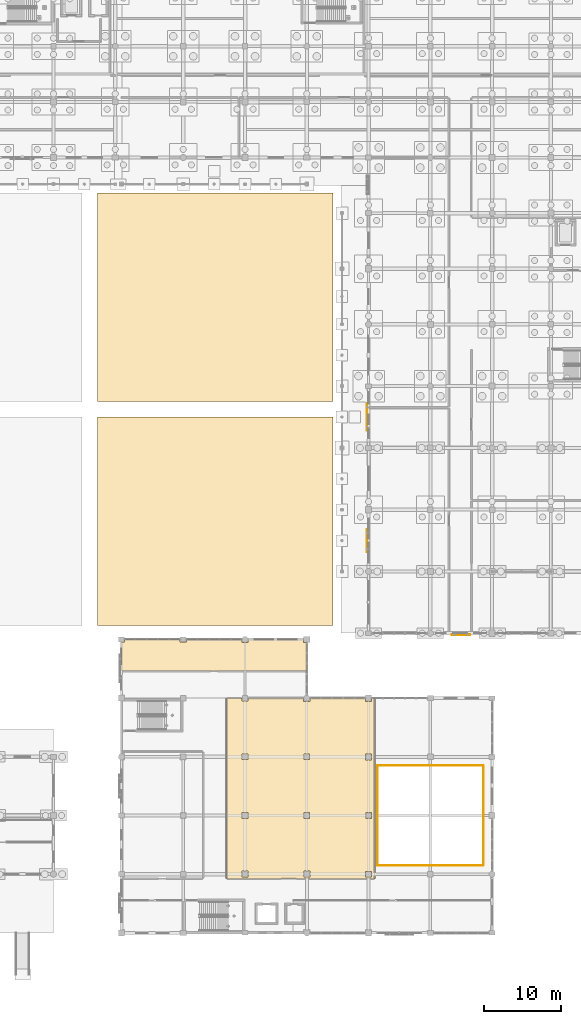
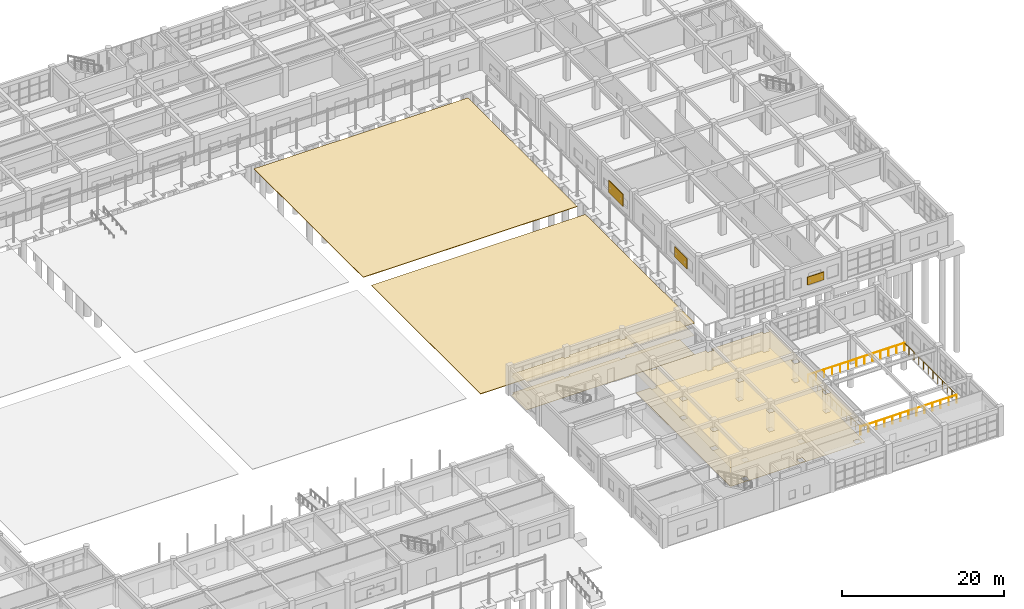
# One storey, part 163 of 166: 6 coverings, 4 railings, 3 shading devices.
"""IFC4 building model written with IfcOpenShell, lengths in metres."""

import ifcopenshell
import ifcopenshell.guid

model = None  # the IFC model being written
_history = None  # IfcOwnerHistory: only IFC2X3 demands one
_inside = {}  # id of a spatial element -> (the spatial element, [elements in it])
_under = {}  # id of a project, library or spatial element -> (it, [spatial elements below it])
_declared = {}  # id of a project -> (the project, [libraries it declares])
_typed = {}  # id of a type object -> (the type object, [elements of that type])
_made_of = {}  # id of a material, layer set ... -> (it, [elements and type objects made of it])


def new_model(schema):
    """Start an empty IFC model of exactly this schema.

    Asked for "IFC4X3", IfcOpenShell would pick the latest addendum, in which some entities
    have other attributes; the version numbers below select the first issue.
    IFC2X3 requires an IfcOwnerHistory on every rooted entity: one is made here for all.
    """
    global model, _history
    if schema == "IFC4X3":
        model = ifcopenshell.file(schema_version=(4, 3, 0, 0))
    else:
        model = ifcopenshell.file(schema=schema)
    _inside.clear()
    _under.clear()
    _declared.clear()
    _typed.clear()
    _made_of.clear()
    _history = None
    if model.schema == "IFC2X3":
        org = make("IfcOrganization", Name="unknown")
        user = make(
            "IfcPersonAndOrganization",
            ThePerson=make("IfcPerson", FamilyName="unknown"),
            TheOrganization=org,
        )
        app = make(
            "IfcApplication",
            ApplicationDeveloper=org,
            Version="unknown",
            ApplicationFullName="unknown",
            ApplicationIdentifier="unknown",
        )
        _history = make(
            "IfcOwnerHistory",
            OwningUser=user,
            OwningApplication=app,
            ChangeAction="ADDED",
            CreationDate=0,
        )
    return model


def make(cls, **values):
    """One entity of the class cls with the attributes given. An attribute that is None is left unset."""
    return model.create_entity(
        cls, **{name: value for name, value in values.items() if value is not None}
    )


def rooted(cls, **values):
    """An entity with a GlobalId (a new one), such as an element, a storey or a relation."""
    return make(cls, GlobalId=ifcopenshell.guid.new(), OwnerHistory=_history, **values)


def si_unit(unit_type, name, prefix=None):
    """IfcSIUnit, for example si_unit("LENGTHUNIT", "METRE", prefix="MILLI")."""
    return make("IfcSIUnit", UnitType=unit_type, Prefix=prefix, Name=name)


def assignment(units):
    """IfcUnitAssignment: the units of a project."""
    return None if units is None else make("IfcUnitAssignment", Units=units)


def point(xyz):
    """IfcCartesianPoint."""
    return None if xyz is None else make("IfcCartesianPoint", Coordinates=xyz)


def direction(xyz):
    """IfcDirection."""
    return None if xyz is None else make("IfcDirection", DirectionRatios=xyz)


def frame(location, z_axis=None, x_axis=None):
    """IfcAxis2Placement3D, a coordinate frame: its origin and axes. An axis left out is left unset."""
    return make(
        "IfcAxis2Placement3D",
        Location=point(location),
        Axis=direction(z_axis),
        RefDirection=direction(x_axis),
    )


def frame_2d(location, x_axis=None):
    """IfcAxis2Placement2D, a coordinate frame in the plane: its origin and x axis."""
    return make(
        "IfcAxis2Placement2D", Location=point(location), RefDirection=direction(x_axis)
    )


def origin():
    """The frame at (0, 0, 0) with its axes left unset."""
    return frame((0.0, 0.0, 0.0))


def origin_2d():
    """The frame at (0, 0) in the plane with its x axis left unset."""
    return frame_2d((0.0, 0.0))


def place(relative_to, where):
    """IfcLocalPlacement: puts the frame where relative to a parent placement (None: the world)."""
    return make(
        "IfcLocalPlacement", PlacementRelTo=relative_to, RelativePlacement=where
    )


def context(
    kind, dimensions, precision=None, world=None, true_north=None, identifier=None
):
    """IfcGeometricRepresentationContext, for example the 3D "Model" context."""
    return make(
        "IfcGeometricRepresentationContext",
        ContextIdentifier=identifier,
        ContextType=kind,
        CoordinateSpaceDimension=dimensions,
        Precision=precision,
        WorldCoordinateSystem=world,
        TrueNorth=true_north,
    )


def subcontext(parent, identifier, kind, view, scale=None):
    """IfcGeometricRepresentationSubContext, for example "Body" below "Model"."""
    return make(
        "IfcGeometricRepresentationSubContext",
        ContextIdentifier=identifier,
        ContextType=kind,
        ParentContext=parent,
        TargetScale=scale,
        TargetView=view,
    )


def project(units=None, contexts=None):
    """IfcProject with its units and contexts."""
    return rooted(
        "IfcProject",
        Name="project",
        RepresentationContexts=contexts,
        UnitsInContext=assignment(units),
    )


def spatial(cls, under=None, at=None, **own):
    """A site, building, storey or space (cls), placed at a placement, below another one or the project."""
    s = rooted(cls, ObjectPlacement=at, **own)
    if under is not None:
        _under.setdefault(under.id(), (under, []))[1].append(s)
    return s


def polyline(points):
    """IfcPolyline through the points."""
    return make("IfcPolyline", Points=[point(p) for p in points])


def profile(cls, at=None, kind="AREA", **sizes):
    """A parametric profile (cls). Its sizes go by their IFC names, for example OverallWidth=200.0."""
    return make(cls, ProfileType=kind, Position=at, **sizes)


def rectangle(**sizes):
    """IfcRectangleProfileDef."""
    return profile("IfcRectangleProfileDef", **sizes)


def circle(**sizes):
    """IfcCircleProfileDef."""
    return profile("IfcCircleProfileDef", **sizes)


def outline(outer, holes=None, kind="AREA"):
    """IfcArbitraryClosedProfileDef: a profile drawn as a closed curve; with holes, ...WithVoids."""
    if holes is None:
        return make("IfcArbitraryClosedProfileDef", ProfileType=kind, OuterCurve=outer)
    return make(
        "IfcArbitraryProfileDefWithVoids",
        ProfileType=kind,
        OuterCurve=outer,
        InnerCurves=holes,
    )


def extrude(swept, where, along, depth):
    """IfcExtrudedAreaSolid: the profile swept, set in the frame where, extruded along a direction by depth."""
    return make(
        "IfcExtrudedAreaSolid",
        SweptArea=swept,
        Position=where,
        ExtrudedDirection=direction(along),
        Depth=depth,
    )


def shape(context_of_items, identifier, shape_type, items):
    """IfcShapeRepresentation: the items that make up one representation, for example the "Body"."""
    return make(
        "IfcShapeRepresentation",
        ContextOfItems=context_of_items,
        RepresentationIdentifier=identifier,
        RepresentationType=shape_type,
        Items=items,
    )


def material(Name=None, Category=None):
    """IfcMaterial."""
    return make("IfcMaterial", Name=Name, Category=Category)


def layer(
    of_material, thickness, ventilated=None, Name=None, Category=None, Priority=None
):
    """IfcMaterialLayer: one layer of a wall or slab, of a material (None: an air gap)."""
    return make(
        "IfcMaterialLayer",
        Material=of_material,
        LayerThickness=thickness,
        IsVentilated=ventilated,
        Name=Name,
        Category=Category,
        Priority=Priority,
    )


def layer_set(layers, Name=None):
    """IfcMaterialLayerSet."""
    return make("IfcMaterialLayerSet", MaterialLayers=layers, LayerSetName=Name)


def made_of(thing, what):
    """Note that an element or type object is made of a material, layer set ...; save() writes the relation."""
    if what is not None:
        _made_of.setdefault(what.id(), (what, []))[1].append(thing)
    return thing


def type_object(cls, material=None, **own):
    """A type object (cls), such as IfcWallType, which elements share."""
    return made_of(rooted(cls, **own), material)


def element(
    cls,
    number,
    at=None,
    inside=None,
    cuts=None,
    type_object=None,
    material=None,
    context=None,
    identifier="Body",
    shape_type=None,
    held_by="IfcProductDefinitionShape",
    body=None,
    shapes=None,
    **own,
):
    """One element of the class cls, such as IfcWall. Its Tag is "e" and its number.

    at: its placement. inside: the storey or other place that contains it. cuts: it is an
    opening in that element (IfcRelVoidsElement). A single representation is given by context,
    identifier, shape_type and body (its items); several are given by shapes. held_by: the class
    of the entity that holds the representations. save() writes the other relations.
    """
    e = rooted(cls, Tag="e%d" % number, ObjectPlacement=at, **own)
    if body is not None:
        shapes = [shape(context, identifier, shape_type, body)]
    if shapes is not None:
        e.Representation = make(held_by, Representations=shapes)
    if inside is not None:
        _inside.setdefault(inside.id(), (inside, []))[1].append(e)
    if cuts is not None:
        rooted(
            "IfcRelVoidsElement", RelatingBuildingElement=cuts, RelatedOpeningElement=e
        )
    if type_object is not None:
        _typed.setdefault(type_object.id(), (type_object, []))[1].append(e)
    return made_of(e, material)


def aggregate(whole, parts):
    """IfcRelAggregates: a whole, such as a stair, and the parts it consists of."""
    return rooted("IfcRelAggregates", RelatingObject=whole, RelatedObjects=parts)


def save(model, path):
    """Write the relations noted so far, then the file.

    IfcRelAggregates (storeys below a building ...), IfcRelContainedInSpatialStructure (elements
    in a storey), IfcRelDefinesByType, IfcRelAssociatesMaterial and IfcRelDeclares: one each for
    every whole, place, type object, material and project.
    """
    for whole, parts in _under.values():
        aggregate(whole, parts)
    for where, things in _inside.values():
        rooted(
            "IfcRelContainedInSpatialStructure",
            RelatedElements=things,
            RelatingStructure=where,
        )
    for kind, things in _typed.values():
        rooted("IfcRelDefinesByType", RelatedObjects=things, RelatingType=kind)
    for what, things in _made_of.values():
        rooted("IfcRelAssociatesMaterial", RelatedObjects=things, RelatingMaterial=what)
    for by, libraries in _declared.values():
        rooted("IfcRelDeclares", RelatingContext=by, RelatedDefinitions=libraries)
    model.write(path)


model = new_model("IFC4")

# Units and contexts
model_context = context("Model", 3, precision=1e-05, world=origin(), true_north=direction((0.0, 1.0)))
body_context = subcontext(model_context, "Body", "Model", "MODEL_VIEW")
ifc_project = project(units=[si_unit("LENGTHUNIT", "METRE"), si_unit("AREAUNIT", "SQUARE_METRE"), si_unit("VOLUMEUNIT", "CUBIC_METRE"), si_unit("PLANEANGLEUNIT", "RADIAN"), si_unit("MASSUNIT", "GRAM", prefix="KILO")], contexts=[model_context])

# Site, building, storey
site_placement = place(None, origin())
site = spatial("IfcSite", under=ifc_project, at=site_placement, CompositionType="ELEMENT")
building_placement = place(site_placement, origin())
building = spatial("IfcBuilding", under=site, at=building_placement, Name="Kharva Crest Polytechnic", CompositionType="ELEMENT")
storey_placement = place(building_placement, origin())
storey = spatial("IfcBuildingStorey", under=building, at=storey_placement, Name="L00", CompositionType="ELEMENT", Elevation=0.0)

# Coverings
ifc_material_1 = material(Name="Acoustic mineral board")
ifc_layer_1 = layer(ifc_material_1, 0.02490234375, Name="Acoustic mineral board")
ifc_layer_set_1 = layer_set([ifc_layer_1], Name="Acoustic mineral board")
covering_type_1 = type_object("IfcCoveringType", Name="COV-CLG-ACOUSTIC", PredefinedType="CEILING", material=ifc_layer_set_1)
covering_1_placement = place(storey_placement, frame((0.0, 0.0, 2.85009765625)))
element("IfcCovering", 1, at=covering_1_placement, inside=storey, type_object=covering_type_1, Name="L00 Student Union Commons Acoustic Ceiling", PredefinedType="CEILING", context=body_context, shape_type="SweptSolid", body=[
    extrude(outline(polyline([(136.43994140625, 30.39990234375), (136.43994140625, 30.0400390625), (137.159912109375, 30.0400390625), (137.159912109375, 30.39990234375), (144.389892578125, 30.39990234375), (144.389892578125, 29.989990234375), (145.2099609375, 29.989990234375), (145.2099609375, 30.39990234375), (152.389892578125, 30.39990234375), (152.389892578125, 29.989990234375), (153.2099609375, 29.989990234375), (153.2099609375, 30.39990234375), (153.60009765625, 30.39990234375), (153.60009765625, 7.010009765625), (134.409912109375, 7.010009765625), (134.409912109375, 30.39990234375), (136.43994140625, 30.39990234375)]), holes=[polyline([(136.4150390625, 7.985107421875), (136.4150390625, 7.215087890625), (137.18505859375, 7.215087890625), (137.18505859375, 7.985107421875), (136.4150390625, 7.985107421875)]), polyline([(136.419921875, 23.179931640625), (136.419921875, 22.419921875), (137.179931640625, 22.419921875), (137.179931640625, 23.179931640625), (136.419921875, 23.179931640625)]), polyline([(152.419921875, 7.97998046875), (152.419921875, 7.219970703125), (153.179931640625, 7.219970703125), (153.179931640625, 7.97998046875), (152.419921875, 7.97998046875)]), polyline([(144.409912109375, 7.989990234375), (144.409912109375, 7.2099609375), (145.18994140625, 7.2099609375), (145.18994140625, 7.989990234375), (144.409912109375, 7.989990234375)]), polyline([(144.419921875, 15.580078125), (144.419921875, 14.820068359375), (145.179931640625, 14.820068359375), (145.179931640625, 15.580078125), (144.419921875, 15.580078125)]), polyline([(153.159912109375, 15.56005859375), (152.43994140625, 15.56005859375), (152.43994140625, 14.840087890625), (153.159912109375, 14.840087890625), (153.159912109375, 15.56005859375)]), polyline([(137.18994140625, 15.590087890625), (136.409912109375, 15.590087890625), (136.409912109375, 14.81005859375), (137.18994140625, 14.81005859375), (137.18994140625, 15.590087890625)]), polyline([(144.43994140625, 23.159912109375), (144.43994140625, 22.43994140625), (145.159912109375, 22.43994140625), (145.159912109375, 23.159912109375), (144.43994140625, 23.159912109375)]), polyline([(152.4150390625, 23.18505859375), (152.4150390625, 22.4150390625), (153.18505859375, 22.4150390625), (153.18505859375, 23.18505859375), (152.4150390625, 23.18505859375)])]), origin(), (0.0, 0.0, 1.0), 0.02490234375),
])
covering_2_placement = place(storey_placement, frame((0.0, 0.0, 2.85009765625)))
element("IfcCovering", 2, at=covering_2_placement, inside=storey, type_object=covering_type_1, Name="L00 Servery Counter and Beverage Kitchen Acoustic Ceiling", PredefinedType="CEILING", context=body_context, shape_type="SweptSolid", body=[
    extrude(outline(polyline([(120.800048828125, 37.6650390625), (121.2099609375, 37.6650390625), (121.2099609375, 38.0), (128.39990234375, 38.0), (128.39990234375, 37.68994140625), (129.199951171875, 37.68994140625), (129.199951171875, 38.0), (136.389892578125, 38.0), (136.389892578125, 37.590087890625), (137.2099609375, 37.590087890625), (137.2099609375, 38.0), (144.389892578125, 38.0), (144.389892578125, 37.590087890625), (144.800048828125, 37.590087890625), (144.800048828125, 33.909912109375), (120.800048828125, 33.909912109375), (120.800048828125, 37.6650390625)])), origin(), (0.0, 0.0, 1.0), 0.02490234375),
])
ifc_material_2 = material(Name="Terrazzo tile")
ifc_layer_2 = layer(ifc_material_2, 0.02001953125, Name="Terrazzo tile")
ifc_layer_set_2 = layer_set([ifc_layer_2], Name="Terrazzo tile")
covering_type_2 = type_object("IfcCoveringType", Name="COV-FLR-TERRAZZO", PredefinedType="FLOORING", material=ifc_layer_set_2)
covering_3_placement = place(storey_placement, origin())
element("IfcCovering", 3, at=covering_3_placement, inside=storey, type_object=covering_type_2, Name="L00 Student Union Commons Terrazzo Flooring", PredefinedType="FLOORING", context=body_context, shape_type="SweptSolid", body=[
    extrude(outline(polyline([(136.43994140625, 30.39990234375), (136.43994140625, 30.0400390625), (137.159912109375, 30.0400390625), (137.159912109375, 30.39990234375), (144.389892578125, 30.39990234375), (144.389892578125, 29.989990234375), (145.2099609375, 29.989990234375), (145.2099609375, 30.39990234375), (152.389892578125, 30.39990234375), (152.389892578125, 29.989990234375), (153.2099609375, 29.989990234375), (153.2099609375, 30.39990234375), (153.60009765625, 30.39990234375), (153.60009765625, 7.010009765625), (134.409912109375, 7.010009765625), (134.409912109375, 30.39990234375), (136.43994140625, 30.39990234375)]), holes=[polyline([(136.4150390625, 7.985107421875), (136.4150390625, 7.215087890625), (137.18505859375, 7.215087890625), (137.18505859375, 7.985107421875), (136.4150390625, 7.985107421875)]), polyline([(136.419921875, 23.179931640625), (136.419921875, 22.419921875), (137.179931640625, 22.419921875), (137.179931640625, 23.179931640625), (136.419921875, 23.179931640625)]), polyline([(152.419921875, 7.97998046875), (152.419921875, 7.219970703125), (153.179931640625, 7.219970703125), (153.179931640625, 7.97998046875), (152.419921875, 7.97998046875)]), polyline([(144.409912109375, 7.989990234375), (144.409912109375, 7.2099609375), (145.18994140625, 7.2099609375), (145.18994140625, 7.989990234375), (144.409912109375, 7.989990234375)]), polyline([(144.419921875, 15.580078125), (144.419921875, 14.820068359375), (145.179931640625, 14.820068359375), (145.179931640625, 15.580078125), (144.419921875, 15.580078125)]), polyline([(153.159912109375, 15.56005859375), (152.43994140625, 15.56005859375), (152.43994140625, 14.840087890625), (153.159912109375, 14.840087890625), (153.159912109375, 15.56005859375)]), polyline([(137.18994140625, 15.590087890625), (136.409912109375, 15.590087890625), (136.409912109375, 14.81005859375), (137.18994140625, 14.81005859375), (137.18994140625, 15.590087890625)]), polyline([(144.43994140625, 23.159912109375), (144.43994140625, 22.43994140625), (145.159912109375, 22.43994140625), (145.159912109375, 23.159912109375), (144.43994140625, 23.159912109375)]), polyline([(152.4150390625, 23.18505859375), (152.4150390625, 22.4150390625), (153.18505859375, 22.4150390625), (153.18505859375, 23.18505859375), (152.4150390625, 23.18505859375)])]), origin(), (0.0, 0.0, 1.0), 0.02001953125),
])
covering_4_placement = place(storey_placement, origin())
element("IfcCovering", 4, at=covering_4_placement, inside=storey, type_object=covering_type_2, Name="L00 Servery Counter and Beverage Kitchen Terrazzo Flooring", PredefinedType="FLOORING", context=body_context, shape_type="SweptSolid", body=[
    extrude(outline(polyline([(120.800048828125, 37.6650390625), (121.2099609375, 37.6650390625), (121.2099609375, 38.0), (128.39990234375, 38.0), (128.39990234375, 37.68994140625), (129.199951171875, 37.68994140625), (129.199951171875, 38.0), (136.389892578125, 38.0), (136.389892578125, 37.590087890625), (137.2099609375, 37.590087890625), (137.2099609375, 38.0), (144.389892578125, 38.0), (144.389892578125, 37.590087890625), (144.800048828125, 37.590087890625), (144.800048828125, 33.909912109375), (120.800048828125, 33.909912109375), (120.800048828125, 37.6650390625)])), origin(), (0.0, 0.0, 1.0), 0.02001953125),
])
ifc_layer_3 = layer(ifc_material_2, 0.080078125, Name="Terrazzo tile")
ifc_layer_set_3 = layer_set([ifc_layer_3], Name="Terrazzo tile")
covering_type_3 = type_object("IfcCoveringType", Name="COV-SITE-GRAVEL", PredefinedType="USERDEFINED", material=ifc_layer_set_3)
covering_5_placement = place(storey_placement, frame((0.0, 0.0, -0.080078125)))
element("IfcCovering", 5, at=covering_5_placement, inside=storey, type_object=covering_type_3, Name="L00 Courtyard Gravel Paving Court 5", ObjectType="PAVING", PredefinedType="USERDEFINED", context=body_context, shape_type="SweptSolid", body=[
    extrude(outline(polyline([(117.6669921875, 39.800048828125), (148.199951171875, 39.800048828125), (148.199951171875, 66.800048828125), (117.6669921875, 66.800048828125), (117.6669921875, 39.800048828125)])), origin(), (0.0, 0.0, 1.0), 0.080078125),
])
covering_6_placement = place(storey_placement, frame((0.0, 0.0, -0.080078125)))
element("IfcCovering", 6, at=covering_6_placement, inside=storey, type_object=covering_type_3, Name="L00 Courtyard Gravel Paving Court 6", ObjectType="PAVING", PredefinedType="USERDEFINED", context=body_context, shape_type="SweptSolid", body=[
    extrude(outline(polyline([(117.6669921875, 68.800048828125), (148.199951171875, 68.800048828125), (148.199951171875, 95.800048828125), (117.6669921875, 95.800048828125), (117.6669921875, 68.800048828125)])), origin(), (0.0, 0.0, 1.0), 0.080078125),
])

# Railings
ifc_material_3 = material(Name="Anodised aluminium", Category="aluminium")
railing_type = type_object("IfcRailingType", Name="RL-VOID-GUARD-1200", PredefinedType="GUARDRAIL", material=ifc_material_3)
railing_1_placement = place(storey_placement, frame((153.93994140625, 8.739990234375, 0.0)))
element("IfcRailing", 7, at=railing_1_placement, inside=storey, type_object=railing_type, Name="L00 Atrium Void Guard 1", PredefinedType="GUARDRAIL", context=body_context, shape_type="SweptSolid", body=[
    extrude(circle(Radius=0.02392578125, at=origin_2d()), frame((0.0, 0.0, 1.17578125), z_axis=(1.0, 0.0, 0.0), x_axis=(0.0, 1.0, 0.0)), (0.0, 0.0, 1.0), 13.719970703125),
    extrude(circle(Radius=0.02099609375, at=origin_2d()), origin(), (0.0, 0.0, 1.0), 1.15185546875),
    extrude(circle(Radius=0.02099609375, at=origin_2d()), frame((1.143310546875, 0.0, 0.0)), (0.0, 0.0, 1.0), 1.15185546875),
    extrude(circle(Radius=0.02099609375, at=origin_2d()), frame((2.28662109375, 0.0, 0.0)), (0.0, 0.0, 1.0), 1.15185546875),
    extrude(circle(Radius=0.02099609375, at=origin_2d()), frame((3.429931640625, 0.0, 0.0)), (0.0, 0.0, 1.0), 1.15185546875),
    extrude(circle(Radius=0.02099609375, at=origin_2d()), frame((4.5732421875, 0.0, 0.0)), (0.0, 0.0, 1.0), 1.15185546875),
    extrude(circle(Radius=0.02099609375, at=origin_2d()), frame((5.716552734375, 0.0, 0.0)), (0.0, 0.0, 1.0), 1.15185546875),
    extrude(circle(Radius=0.02099609375, at=origin_2d()), frame((6.85986328125, 0.0, 0.0)), (0.0, 0.0, 1.0), 1.15185546875),
    extrude(circle(Radius=0.02099609375, at=origin_2d()), frame((8.00341796875, 0.0, 0.0)), (0.0, 0.0, 1.0), 1.15185546875),
    extrude(circle(Radius=0.02099609375, at=origin_2d()), frame((9.146728515625, 0.0, 0.0)), (0.0, 0.0, 1.0), 1.15185546875),
    extrude(circle(Radius=0.02099609375, at=origin_2d()), frame((10.2900390625, 0.0, 0.0)), (0.0, 0.0, 1.0), 1.15185546875),
    extrude(circle(Radius=0.02099609375, at=origin_2d()), frame((11.433349609375, 0.0, 0.0)), (0.0, 0.0, 1.0), 1.15185546875),
    extrude(circle(Radius=0.02099609375, at=origin_2d()), frame((12.57666015625, 0.0, 0.0)), (0.0, 0.0, 1.0), 1.15185546875),
    extrude(circle(Radius=0.02099609375, at=origin_2d()), frame((13.719970703125, 0.0, 0.0)), (0.0, 0.0, 1.0), 1.15185546875),
])
railing_2_placement = place(storey_placement, frame((167.659912109375, 8.739990234375, 0.0)))
element("IfcRailing", 8, at=railing_2_placement, inside=storey, type_object=railing_type, Name="L00 Atrium Void Guard 2", PredefinedType="GUARDRAIL", context=body_context, shape_type="SweptSolid", body=[
    extrude(circle(Radius=0.02392578125, at=origin_2d()), frame((0.0, 0.0, 1.17578125), z_axis=(0.0, 1.0, 0.0), x_axis=(-1.0, 0.0, 0.0)), (0.0, 0.0, 1.0), 12.919921875),
    extrude(circle(Radius=0.02099609375, at=origin_2d()), origin(), (0.0, 0.0, 1.0), 1.15185546875),
    extrude(circle(Radius=0.02099609375, at=origin_2d()), frame((0.0, 1.174560546875, 0.0)), (0.0, 0.0, 1.0), 1.15185546875),
    extrude(circle(Radius=0.02099609375, at=origin_2d()), frame((0.0, 2.34912109375, 0.0)), (0.0, 0.0, 1.0), 1.15185546875),
    extrude(circle(Radius=0.02099609375, at=origin_2d()), frame((0.0, 3.523681640625, 0.0)), (0.0, 0.0, 1.0), 1.15185546875),
    extrude(circle(Radius=0.02099609375, at=origin_2d()), frame((0.0, 4.6982421875, 0.0)), (0.0, 0.0, 1.0), 1.15185546875),
    extrude(circle(Radius=0.02099609375, at=origin_2d()), frame((0.0, 5.872802734375, 0.0)), (0.0, 0.0, 1.0), 1.15185546875),
    extrude(circle(Radius=0.02099609375, at=origin_2d()), frame((0.0, 7.047119140625, 0.0)), (0.0, 0.0, 1.0), 1.15185546875),
    extrude(circle(Radius=0.02099609375, at=origin_2d()), frame((0.0, 8.2216796875, 0.0)), (0.0, 0.0, 1.0), 1.15185546875),
    extrude(circle(Radius=0.02099609375, at=origin_2d()), frame((0.0, 9.396240234375, 0.0)), (0.0, 0.0, 1.0), 1.15185546875),
    extrude(circle(Radius=0.02099609375, at=origin_2d()), frame((0.0, 10.57080078125, 0.0)), (0.0, 0.0, 1.0), 1.15185546875),
    extrude(circle(Radius=0.02099609375, at=origin_2d()), frame((0.0, 11.745361328125, 0.0)), (0.0, 0.0, 1.0), 1.15185546875),
    extrude(circle(Radius=0.02099609375, at=origin_2d()), frame((0.0, 12.919921875, 0.0)), (0.0, 0.0, 1.0), 1.15185546875),
])
railing_3_placement = place(storey_placement, frame((167.659912109375, 21.659912109375, 0.0)))
element("IfcRailing", 9, at=railing_3_placement, inside=storey, type_object=railing_type, Name="L00 Atrium Void Guard 3", PredefinedType="GUARDRAIL", context=body_context, shape_type="SweptSolid", body=[
    extrude(circle(Radius=0.02392578125, at=origin_2d()), frame((0.0, 0.0, 1.17578125), z_axis=(-1.0, 0.0, 0.0), x_axis=(0.0, -1.0, 0.0)), (0.0, 0.0, 1.0), 13.719970703125),
    extrude(circle(Radius=0.02099609375, at=origin_2d()), origin(), (0.0, 0.0, 1.0), 1.15185546875),
    extrude(circle(Radius=0.02099609375, at=origin_2d()), frame((-1.143310546875, 0.0, 0.0)), (0.0, 0.0, 1.0), 1.15185546875),
    extrude(circle(Radius=0.02099609375, at=origin_2d()), frame((-2.28662109375, 0.0, 0.0)), (0.0, 0.0, 1.0), 1.15185546875),
    extrude(circle(Radius=0.02099609375, at=origin_2d()), frame((-3.429931640625, 0.0, 0.0)), (0.0, 0.0, 1.0), 1.15185546875),
    extrude(circle(Radius=0.02099609375, at=origin_2d()), frame((-4.5732421875, 0.0, 0.0)), (0.0, 0.0, 1.0), 1.15185546875),
    extrude(circle(Radius=0.02099609375, at=origin_2d()), frame((-5.716552734375, 0.0, 0.0)), (0.0, 0.0, 1.0), 1.15185546875),
    extrude(circle(Radius=0.02099609375, at=origin_2d()), frame((-6.85986328125, 0.0, 0.0)), (0.0, 0.0, 1.0), 1.15185546875),
    extrude(circle(Radius=0.02099609375, at=origin_2d()), frame((-8.00341796875, 0.0, 0.0)), (0.0, 0.0, 1.0), 1.15185546875),
    extrude(circle(Radius=0.02099609375, at=origin_2d()), frame((-9.146728515625, 0.0, 0.0)), (0.0, 0.0, 1.0), 1.15185546875),
    extrude(circle(Radius=0.02099609375, at=origin_2d()), frame((-10.2900390625, 0.0, 0.0)), (0.0, 0.0, 1.0), 1.15185546875),
    extrude(circle(Radius=0.02099609375, at=origin_2d()), frame((-11.433349609375, 0.0, 0.0)), (0.0, 0.0, 1.0), 1.15185546875),
    extrude(circle(Radius=0.02099609375, at=origin_2d()), frame((-12.57666015625, 0.0, 0.0)), (0.0, 0.0, 1.0), 1.15185546875),
    extrude(circle(Radius=0.02099609375, at=origin_2d()), frame((-13.719970703125, 0.0, 0.0)), (0.0, 0.0, 1.0), 1.15185546875),
])
railing_4_placement = place(storey_placement, frame((153.93994140625, 21.659912109375, 0.0)))
element("IfcRailing", 10, at=railing_4_placement, inside=storey, type_object=railing_type, Name="L00 Atrium Void Guard 4", PredefinedType="GUARDRAIL", context=body_context, shape_type="SweptSolid", body=[
    extrude(circle(Radius=0.02392578125, at=origin_2d()), frame((0.0, 0.0, 1.17578125), z_axis=(0.0, -1.0, 0.0), x_axis=(1.0, 0.0, 0.0)), (0.0, 0.0, 1.0), 12.919921875),
    extrude(circle(Radius=0.02099609375, at=origin_2d()), origin(), (0.0, 0.0, 1.0), 1.15185546875),
    extrude(circle(Radius=0.02099609375, at=origin_2d()), frame((0.0, -1.174560546875, 0.0)), (0.0, 0.0, 1.0), 1.15185546875),
    extrude(circle(Radius=0.02099609375, at=origin_2d()), frame((0.0, -2.34912109375, 0.0)), (0.0, 0.0, 1.0), 1.15185546875),
    extrude(circle(Radius=0.02099609375, at=origin_2d()), frame((0.0, -3.523681640625, 0.0)), (0.0, 0.0, 1.0), 1.15185546875),
    extrude(circle(Radius=0.02099609375, at=origin_2d()), frame((0.0, -4.6982421875, 0.0)), (0.0, 0.0, 1.0), 1.15185546875),
    extrude(circle(Radius=0.02099609375, at=origin_2d()), frame((0.0, -5.872802734375, 0.0)), (0.0, 0.0, 1.0), 1.15185546875),
    extrude(circle(Radius=0.02099609375, at=origin_2d()), frame((0.0, -7.047119140625, 0.0)), (0.0, 0.0, 1.0), 1.15185546875),
    extrude(circle(Radius=0.02099609375, at=origin_2d()), frame((0.0, -8.2216796875, 0.0)), (0.0, 0.0, 1.0), 1.15185546875),
    extrude(circle(Radius=0.02099609375, at=origin_2d()), frame((0.0, -9.396240234375, 0.0)), (0.0, 0.0, 1.0), 1.15185546875),
    extrude(circle(Radius=0.02099609375, at=origin_2d()), frame((0.0, -10.57080078125, 0.0)), (0.0, 0.0, 1.0), 1.15185546875),
    extrude(circle(Radius=0.02099609375, at=origin_2d()), frame((0.0, -11.745361328125, 0.0)), (0.0, 0.0, 1.0), 1.15185546875),
    extrude(circle(Radius=0.02099609375, at=origin_2d()), frame((0.0, -12.919921875, 0.0)), (0.0, 0.0, 1.0), 1.15185546875),
])

# Shading devices
ifc_material_4 = material(Name="Perforated terracotta", Category="masonry")
shading_device_type_1 = type_object("IfcShadingDeviceType", Name="SHD-JAALI-3000X1600", PredefinedType="USERDEFINED", material=ifc_material_4)
shading_device_1_placement = place(storey_placement, frame((152.5869140625, 50.7705078125, 0.849853515625), z_axis=(0.0, 0.0, 1.0), x_axis=(0.0, 1.0, 0.0)))
element("IfcShadingDevice", 11, at=shading_device_1_placement, inside=storey, type_object=shading_device_type_1, Name="L00 Terracotta Jaali Solar Screen 22", ObjectType="LOUVRE", PredefinedType="USERDEFINED", context=body_context, shape_type="SweptSolid", body=[
    extrude(rectangle(XDim=3.0, YDim=0.080078125, at=origin_2d()), origin(), (0.0, 0.0, 1.0), 1.60009765625),
])
shading_device_type_2 = type_object("IfcShadingDeviceType", Name="SHD-JAALI-3600X1800", PredefinedType="USERDEFINED", material=ifc_material_4)
shading_device_2_placement = place(storey_placement, frame((152.572021484375, 66.8125, 0.75), z_axis=(0.0, 0.0, 1.0), x_axis=(0.0, 1.0, 0.0)))
element("IfcShadingDevice", 12, at=shading_device_2_placement, inside=storey, type_object=shading_device_type_2, Name="L00 Terracotta Jaali Solar Screen 21", ObjectType="LOUVRE", PredefinedType="USERDEFINED", context=body_context, shape_type="SweptSolid", body=[
    extrude(rectangle(XDim=3.60009765625, YDim=0.080078125, at=origin_2d()), origin(), (0.0, 0.0, 1.0), 1.800048828125),
])
shading_device_type_3 = type_object("IfcShadingDeviceType", Name="SHD-LOUVRE-2400X1200", PredefinedType="USERDEFINED", material=ifc_material_4)
shading_device_3_placement = place(storey_placement, frame((164.7705078125, 38.599609375, 1.0498046875), z_axis=(0.0, 0.0, 1.0), x_axis=(1.0, 0.0, 0.0)))
element("IfcShadingDevice", 13, at=shading_device_3_placement, inside=storey, type_object=shading_device_type_3, Name="L00 Terracotta Jaali Solar Screen 23", ObjectType="LOUVRE", PredefinedType="USERDEFINED", context=body_context, shape_type="SweptSolid", body=[
    extrude(rectangle(XDim=2.39990234375, YDim=0.10009765625, at=origin_2d()), origin(), (0.0, 0.0, 1.0), 1.199951171875),
])

save(model, "model.ifc")
